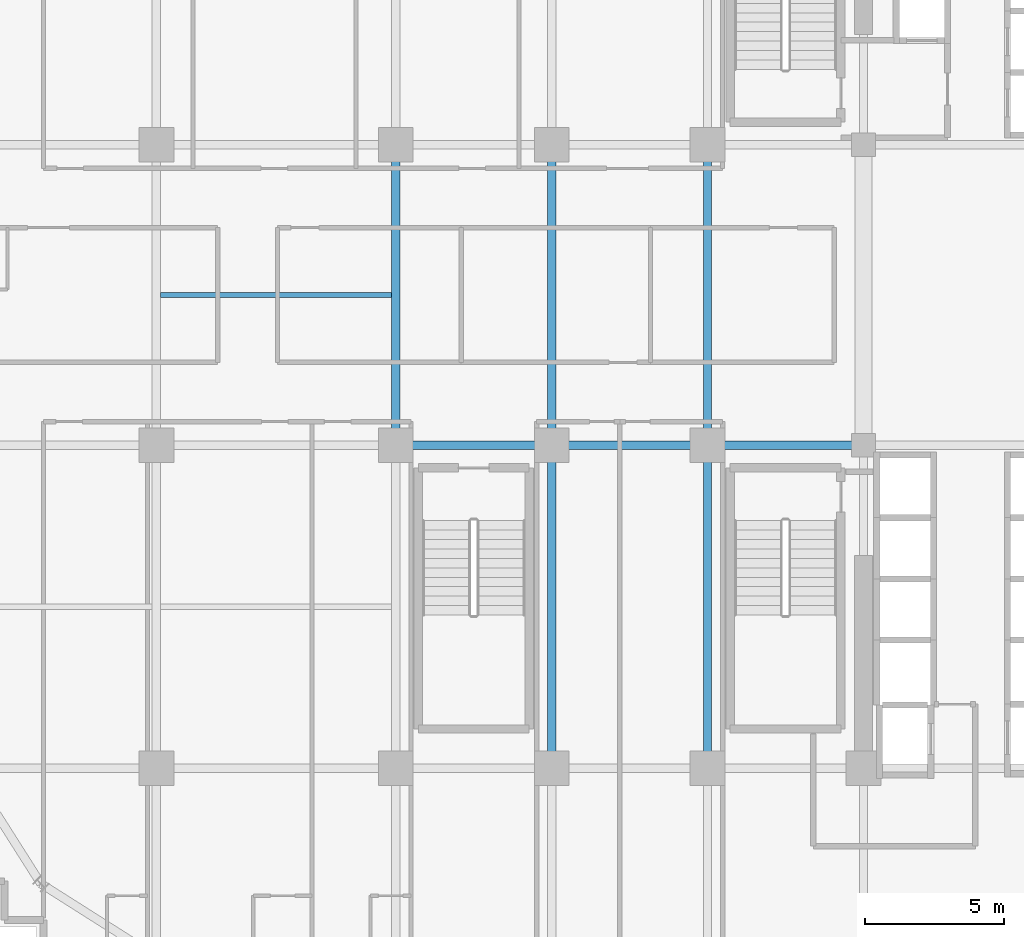
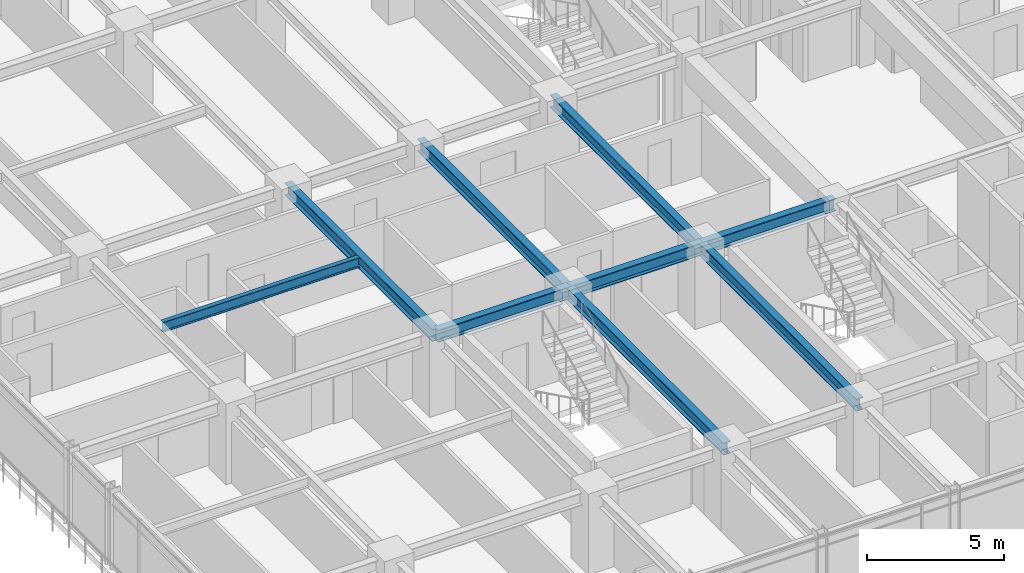
# One storey, part 10 of 34: 9 beams.
"""IFC4 building model written with IfcOpenShell, lengths in metres."""

from ifc_helpers import new_model, si_unit, direction, frame, origin, origin_2d, place, context, subcontext, project, spatial, i_section, extrude, source, transform, mapped, material, material_profile, profile_set, type_object, element, save


model = new_model("IFC4")

# Units and contexts
model_context = context("Model", 3, precision=1e-05, world=origin(), true_north=direction((0.0, 1.0)))
body_context = subcontext(model_context, "Body", "Model", "MODEL_VIEW")
ifc_project = project(units=[si_unit("LENGTHUNIT", "METRE"), si_unit("AREAUNIT", "SQUARE_METRE"), si_unit("VOLUMEUNIT", "CUBIC_METRE"), si_unit("PLANEANGLEUNIT", "RADIAN"), si_unit("MASSUNIT", "GRAM", prefix="KILO")], contexts=[model_context])

# Site, building, storey
site_placement = place(None, origin())
site = spatial("IfcSite", under=ifc_project, at=site_placement, CompositionType="ELEMENT")
building_placement = place(site_placement, origin())
building = spatial("IfcBuilding", under=site, at=building_placement, Name="Nahalor Promenade Grand Hotel", CompositionType="ELEMENT")
storey_placement = place(building_placement, frame((0.0, 0.0, 88.300048828125)))
storey = spatial("IfcBuildingStorey", under=building, at=storey_placement, Name="L21", CompositionType="ELEMENT", Elevation=88.300048828125)

# Beams
ifc_material = material(Name="Steel S355JR", Category="steel")
ifc_material_profile_1 = material_profile(ifc_material, i_section(OverallWidth=0.3, OverallDepth=0.55, WebThickness=0.015, FlangeThickness=0.029, at=origin_2d()), Name="HEB 550")
ifc_profile_set_1 = profile_set([ifc_material_profile_1], Name="Steel S355JR")
beam_type_1 = type_object("IfcBeamType", Name="Beam-Girder-HEB550", PredefinedType="BEAM", material=ifc_profile_set_1)
shared_shape_1 = source(origin(), body_context, "Body", "SweptSolid", [
    extrude(i_section(OverallWidth=0.3, OverallDepth=0.55, WebThickness=0.015, FlangeThickness=0.029, at=origin_2d()), origin(), (0.0, 0.0, 1.0), 5.599853515625),
])
for number, where, z_axis, x_axis, name in (
    (1, (-8.39990234375, -5.39990234375, 3.10498046875), (1.0, 0.0, 0.0), (0.0, 1.0, 0.0), "BM-L21-GX-1-2"),
    (2, (2.800048828125, -5.39990234375, 3.10498046875), (1.0, 0.0, 0.0), (0.0, 1.0, 0.0), "BM-L21-GX-1-4"),
):
    element("IfcBeam", number, at=place(storey_placement, frame(where, z_axis=z_axis, x_axis=x_axis)), inside=storey, type_object=beam_type_1, Name=name, PredefinedType="BEAM", context=body_context, shape_type="MappedRepresentation", body=[
        mapped(shared_shape_1, transform((0.0, 0.0, 0.0), scale=1.0)),
    ])
shared_shape_2 = source(origin(), body_context, "Body", "SweptSolid", [
    extrude(i_section(OverallWidth=0.3, OverallDepth=0.55, WebThickness=0.015, FlangeThickness=0.029, at=origin_2d()), origin(), (0.0, 0.0, 1.0), 5.60009765625),
])
beam_1_placement = place(storey_placement, frame((-2.800048828125, -5.39990234375, 3.10498046875), z_axis=(1.0, 0.0, 0.0), x_axis=(0.0, 1.0, 0.0)))
element("IfcBeam", 3, at=beam_1_placement, inside=storey, type_object=beam_type_1, Name="BM-L21-GX-1-3", PredefinedType="BEAM", context=body_context, shape_type="MappedRepresentation", body=[
    mapped(shared_shape_2, transform((0.0, 0.0, 0.0), scale=1.0)),
])
shared_shape_3 = source(origin(), body_context, "Body", "SweptSolid", [
    extrude(i_section(OverallWidth=0.3, OverallDepth=0.55, WebThickness=0.015, FlangeThickness=0.029, at=origin_2d()), origin(), (0.0, 0.0, 1.0), 11.60009765625),
])
for number, where, z_axis, x_axis, name in (
    (4, (-2.800048828125, -17.0, 3.10498046875), (0.0, 1.0, 0.0), (-1.0, 0.0, 0.0), "BM-L21-GY-2-1"),
    (5, (2.800048828125, -17.0, 3.10498046875), (0.0, 1.0, 0.0), (-1.0, 0.0, 0.0), "BM-L21-GY-3-1"),
):
    element("IfcBeam", number, at=place(storey_placement, frame(where, z_axis=z_axis, x_axis=x_axis)), inside=storey, type_object=beam_type_1, Name=name, PredefinedType="BEAM", context=body_context, shape_type="MappedRepresentation", body=[
        mapped(shared_shape_3, transform((0.0, 0.0, 0.0), scale=1.0)),
    ])
shared_shape_4 = source(origin(), body_context, "Body", "SweptSolid", [
    extrude(i_section(OverallWidth=0.3, OverallDepth=0.55, WebThickness=0.015, FlangeThickness=0.029, at=origin_2d()), origin(), (0.0, 0.0, 1.0), 10.7998046875),
])
for number, where, z_axis, x_axis, name in (
    (6, (-8.39990234375, -5.39990234375, 3.10498046875), (0.0, 1.0, 0.0), (-1.0, 0.0, 0.0), "BM-L21-GY-1-2"),
    (7, (-2.800048828125, -5.39990234375, 3.10498046875), (0.0, 1.0, 0.0), (-1.0, 0.0, 0.0), "BM-L21-GY-2-2"),
    (8, (2.800048828125, -5.39990234375, 3.10498046875), (0.0, 1.0, 0.0), (-1.0, 0.0, 0.0), "BM-L21-GY-3-2"),
):
    element("IfcBeam", number, at=place(storey_placement, frame(where, z_axis=z_axis, x_axis=x_axis)), inside=storey, type_object=beam_type_1, Name=name, PredefinedType="BEAM", context=body_context, shape_type="MappedRepresentation", body=[
        mapped(shared_shape_4, transform((0.0, 0.0, 0.0), scale=1.0)),
    ])
ifc_material_profile_2 = material_profile(ifc_material, i_section(OverallWidth=0.19, OverallDepth=0.45, WebThickness=0.0094, FlangeThickness=0.0146, at=origin_2d()), Name="IPE 450")
ifc_profile_set_2 = profile_set([ifc_material_profile_2], Name="Steel S355JR")
beam_type_2 = type_object("IfcBeamType", Name="Beam-Joist-IPE450", PredefinedType="JOIST", material=ifc_profile_set_2)
shared_shape_5 = source(origin(), body_context, "Body", "SweptSolid", [
    extrude(i_section(OverallWidth=0.19, OverallDepth=0.45, WebThickness=0.0094, FlangeThickness=0.0146, at=origin_2d()), origin(), (0.0, 0.0, 1.0), 8.300048828125),
])
beam_2_placement = place(storey_placement, frame((-16.85009765625, 0.0, 3.155029296875), z_axis=(1.0, 0.0, 0.0), x_axis=(0.0, 1.0, 0.0)))
element("IfcBeam", 9, at=beam_2_placement, inside=storey, type_object=beam_type_2, Name="BM-L21-JSC-0", PredefinedType="JOIST", context=body_context, shape_type="MappedRepresentation", body=[
    mapped(shared_shape_5, transform((0.0, 0.0, 0.0), scale=1.0)),
])

save(model, "model.ifc")
